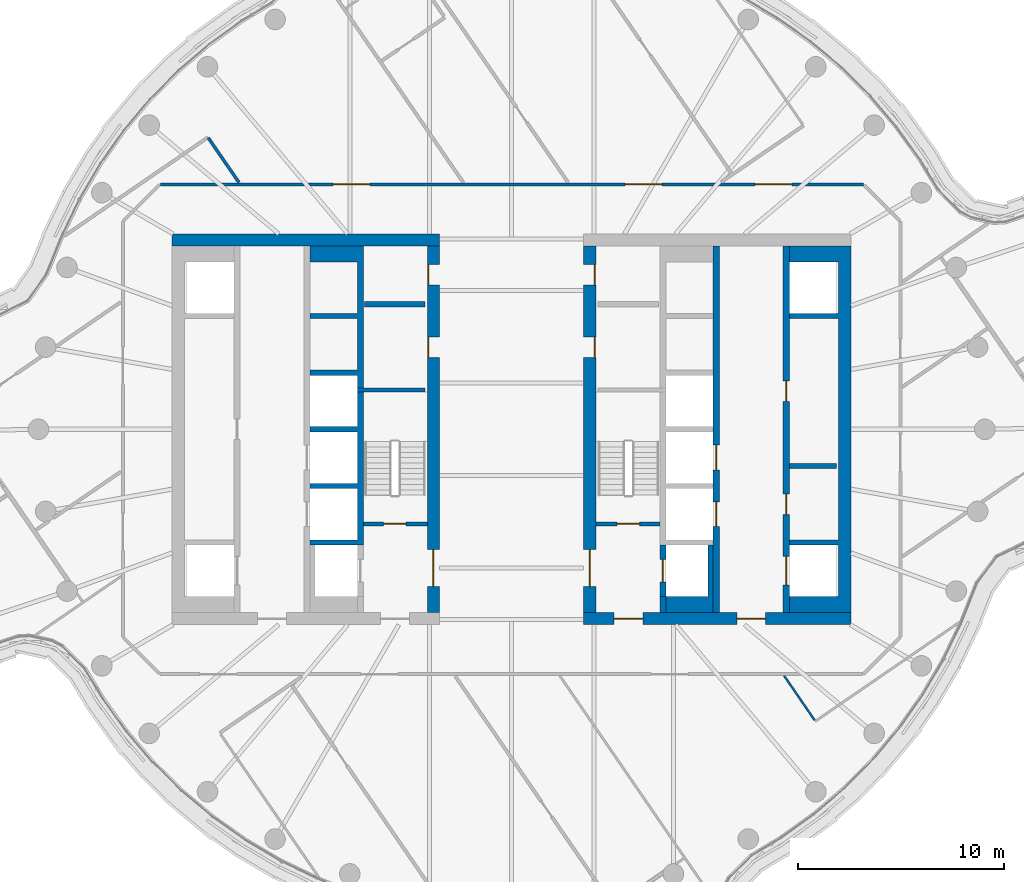
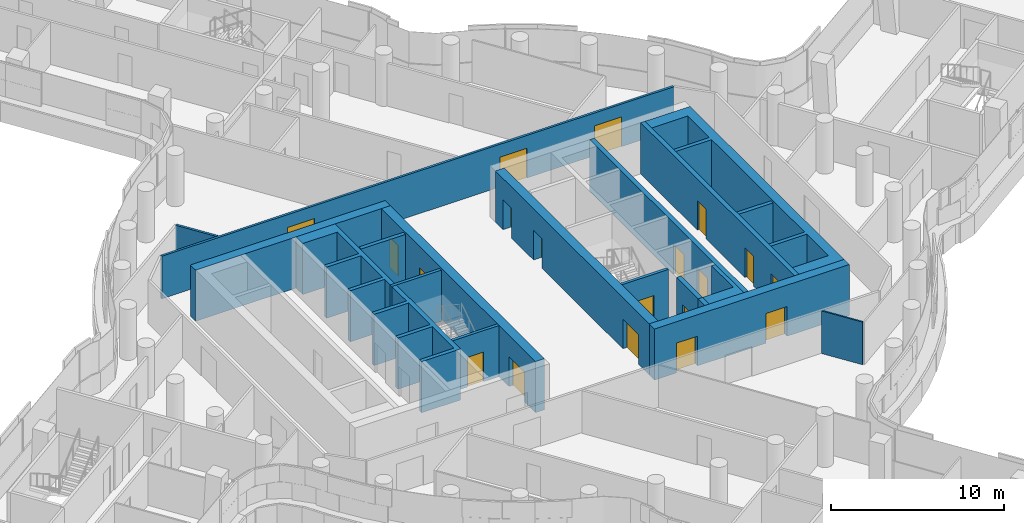
# One storey, part 23 of 33: 19 doors, 19 walls, 19 openings.
"""IFC4 building model written with IfcOpenShell, lengths in metres."""

from ifc_helpers import new_model, si_unit, direction, frame, frame_2d, origin, place, context, subcontext, project, spatial, polyline, rectangle, outline, extrude, material, layer, layer_set, type_object, element, fill, save


model = new_model("IFC4")

# Units and contexts
model_context = context("Model", 3, precision=1e-05, world=origin(), true_north=direction((0.0, 1.0)))
body_context = subcontext(model_context, "Body", "Model", "MODEL_VIEW")
ifc_project = project(units=[si_unit("LENGTHUNIT", "METRE"), si_unit("AREAUNIT", "SQUARE_METRE"), si_unit("VOLUMEUNIT", "CUBIC_METRE"), si_unit("PLANEANGLEUNIT", "RADIAN"), si_unit("MASSUNIT", "GRAM", prefix="KILO")], contexts=[model_context])

# Site, building, storey
site_placement = place(None, origin())
site = spatial("IfcSite", under=ifc_project, at=site_placement, CompositionType="ELEMENT")
building_placement = place(site_placement, origin())
building = spatial("IfcBuilding", under=site, at=building_placement, Name="Tamarind Cross Interchange Tower", CompositionType="ELEMENT")
storey_placement = place(building_placement, frame((0.0, 0.0, 159.25)))
storey = spatial("IfcBuildingStorey", under=building, at=storey_placement, Name="L39", CompositionType="ELEMENT", Elevation=159.25)

# Wall
ifc_material_1 = material(Name="Concrete C60", Category="concrete")
ifc_layer_1 = layer(ifc_material_1, 0.60009765625)
ifc_layer_set_1 = layer_set([ifc_layer_1], Name="Concrete C60")
wall_type_1 = type_object("IfcWallType", Name="Core wall 600 mm Concrete C60", PredefinedType="SHEAR", material=ifc_layer_set_1)
wall_1_placement = place(storey_placement, frame((-16.5, 9.199951171875, 0.0), z_axis=(0.0, 0.0, 1.0), x_axis=(1.0, 0.0, 0.0)))
element("IfcWall", 1, at=wall_1_placement, inside=storey, type_object=wall_type_1, Name="Core wall CWL-L39-W-NE", PredefinedType="SHEAR", context=body_context, shape_type="SweptSolid", body=[
    extrude(rectangle(XDim=13.0, YDim=0.60009765625, at=frame_2d((6.5, 0.0))), origin(), (0.0, 0.0, 1.0), 3.610107421875),
])

# Wall, openings, doors
wall_2_placement = place(storey_placement, frame((-3.800048828125, -8.89990234375, 0.0), z_axis=(0.0, 0.0, 1.0), x_axis=(0.0, 1.0, 0.0)))
wall_2 = element("IfcWall", 2, at=wall_2_placement, inside=storey, type_object=wall_type_1, Name="Core wall CWL-L39-W-IN", PredefinedType="SHEAR", context=body_context, shape_type="SweptSolid", body=[
    extrude(rectangle(XDim=17.7998046875, YDim=0.60009765625, at=frame_2d((8.89990234375, 0.0))), origin(), (0.0, 0.0, 1.0), 3.610107421875),
])
opening_1_placement = place(wall_2_placement, frame((1.25, 0.0, 0.0)))
opening_1 = element("IfcOpeningElement", 3, at=opening_1_placement, cuts=wall_2, Name="Opening DCW4", PredefinedType="OPENING", context=body_context, shape_type="SweptSolid", body=[
    extrude(rectangle(XDim=1.800048828125, YDim=2.10009765625, at=frame_2d((0.89990234375, 1.050048828125))), frame((0.0, 0.31005859375, 0.0), z_axis=(0.0, -1.0, 0.0), x_axis=(1.0, 0.0, 0.0)), (0.0, 0.0, 1.0), 0.6201171875),
])
opening_2_placement = place(wall_2_placement, frame((12.37744140625, 0.0, 0.0)))
opening_2 = element("IfcOpeningElement", 4, at=opening_2_placement, cuts=wall_2, Name="Opening DCW5", PredefinedType="OPENING", context=body_context, shape_type="SweptSolid", body=[
    extrude(rectangle(XDim=1.0, YDim=2.10009765625, at=frame_2d((0.5, 1.050048828125))), frame((0.0, 0.31005859375, 0.0), z_axis=(0.0, -1.0, 0.0), x_axis=(1.0, 0.0, 0.0)), (0.0, 0.0, 1.0), 0.6201171875),
])
opening_3_placement = place(wall_2_placement, frame((15.902587890625, 0.0, 0.0)))
opening_3 = element("IfcOpeningElement", 5, at=opening_3_placement, cuts=wall_2, Name="Opening DCW5", PredefinedType="OPENING", context=body_context, shape_type="SweptSolid", body=[
    extrude(rectangle(XDim=1.0, YDim=2.10009765625, at=frame_2d((0.5, 1.050048828125))), frame((0.0, 0.31005859375, 0.0), z_axis=(0.0, -1.0, 0.0), x_axis=(1.0, 0.0, 0.0)), (0.0, 0.0, 1.0), 0.6201171875),
])
ifc_material_2 = material(Name="Steel, fire-resisting", Category="steel")
door_type_1 = type_object("IfcDoorType", Name="Core fire door 1000 x 2100 FD90", OperationType="SINGLE_SWING_LEFT", PredefinedType="DOOR", material=ifc_material_2)
door_1_placement = place(opening_2_placement, origin())
door_1 = element("IfcDoor", 6, at=door_1_placement, inside=storey, type_object=door_type_1, Name="L39 cleaner's store door", OperationType="SINGLE_SWING_LEFT", OverallHeight=2.10009765625, OverallWidth=1.0, PredefinedType="DOOR", context=body_context, shape_type="SweptSolid", body=[
    extrude(rectangle(XDim=1.0, YDim=2.10009765625, at=frame_2d((0.5, 1.050048828125))), frame((0.0, 0.27490234375, 0.0), z_axis=(0.0, -1.0, 0.0), x_axis=(1.0, 0.0, 0.0)), (0.0, 0.0, 1.0), 0.050048828125),
])
fill(opening_2, door_1)
door_2_placement = place(opening_3_placement, origin())
door_2 = element("IfcDoor", 7, at=door_2_placement, inside=storey, type_object=door_type_1, Name="L39 comms room door", OperationType="SINGLE_SWING_LEFT", OverallHeight=2.10009765625, OverallWidth=1.0, PredefinedType="DOOR", context=body_context, shape_type="SweptSolid", body=[
    extrude(rectangle(XDim=1.0, YDim=2.10009765625, at=frame_2d((0.5, 1.050048828125))), frame((0.0, 0.27490234375, 0.0), z_axis=(0.0, -1.0, 0.0), x_axis=(1.0, 0.0, 0.0)), (0.0, 0.0, 1.0), 0.050048828125),
])
fill(opening_3, door_2)
door_type_2 = type_object("IfcDoorType", Name="Core fire door 1800 x 2100 FD90", OperationType="SINGLE_SWING_LEFT", PredefinedType="DOOR", material=ifc_material_2)
door_3_placement = place(opening_1_placement, origin())
door_3 = element("IfcDoor", 8, at=door_3_placement, inside=storey, type_object=door_type_2, Name="L39 firefighting lobby door", OperationType="SINGLE_SWING_LEFT", OverallHeight=2.10009765625, OverallWidth=1.800048828125, PredefinedType="DOOR", context=body_context, shape_type="SweptSolid", body=[
    extrude(rectangle(XDim=1.800048828125, YDim=2.10009765625, at=frame_2d((0.89990234375, 1.050048828125))), frame((0.0, 0.02490234375, 0.0), z_axis=(0.0, -1.0, 0.0), x_axis=(1.0, 0.0, 0.0)), (0.0, 0.0, 1.0), 0.050048828125),
])
fill(opening_1, door_3)

wall_3_placement = place(storey_placement, frame((16.5, -9.199951171875, 0.0), z_axis=(0.0, 0.0, 1.0), x_axis=(-1.0, 0.0, 0.0)))
wall_3 = element("IfcWall", 9, at=wall_3_placement, inside=storey, type_object=wall_type_1, Name="Core wall CWL-L39-E-S", PredefinedType="SHEAR", context=body_context, shape_type="SweptSolid", body=[
    extrude(rectangle(XDim=13.0, YDim=0.60009765625, at=frame_2d((6.5, 0.0))), origin(), (0.0, 0.0, 1.0), 3.610107421875),
])
opening_4_placement = place(wall_3_placement, frame((4.14990234375, 0.0, 0.0)))
opening_4 = element("IfcOpeningElement", 10, at=opening_4_placement, cuts=wall_3, Name="Opening DCE1", PredefinedType="OPENING", context=body_context, shape_type="SweptSolid", body=[
    extrude(rectangle(XDim=1.39990234375, YDim=2.10009765625, at=frame_2d((0.699951171875, 1.050048828125))), frame((0.0, 0.31005859375, 0.0), z_axis=(0.0, -1.0, 0.0), x_axis=(1.0, 0.0, 0.0)), (0.0, 0.0, 1.0), 0.6201171875),
])
opening_5_placement = place(wall_3_placement, frame((10.125, 0.0, 0.0)))
opening_5 = element("IfcOpeningElement", 11, at=opening_5_placement, cuts=wall_3, Name="Opening DCEF", PredefinedType="OPENING", context=body_context, shape_type="SweptSolid", body=[
    extrude(rectangle(XDim=1.39990234375, YDim=2.10009765625, at=frame_2d((0.699951171875, 1.050048828125))), frame((0.0, 0.31005859375, 0.0), z_axis=(0.0, -1.0, 0.0), x_axis=(1.0, 0.0, 0.0)), (0.0, 0.0, 1.0), 0.6201171875),
])
door_type_3 = type_object("IfcDoorType", Name="Core fire door 1400 x 2100 FD90", OperationType="SINGLE_SWING_LEFT", PredefinedType="DOOR", material=ifc_material_2)
door_4_placement = place(opening_4_placement, origin())
door_4 = element("IfcDoor", 12, at=door_4_placement, inside=storey, type_object=door_type_3, Name="L39 lift lobby door", OperationType="SINGLE_SWING_LEFT", OverallHeight=2.10009765625, OverallWidth=1.39990234375, PredefinedType="DOOR", context=body_context, shape_type="SweptSolid", body=[
    extrude(rectangle(XDim=1.39990234375, YDim=2.10009765625, at=frame_2d((0.699951171875, 1.050048828125))), frame((0.0, 0.02490234375, 0.0), z_axis=(0.0, -1.0, 0.0), x_axis=(1.0, 0.0, 0.0)), (0.0, 0.0, 1.0), 0.050048828125),
])
fill(opening_4, door_4)
door_5_placement = place(opening_5_placement, origin())
door_5 = element("IfcDoor", 13, at=door_5_placement, inside=storey, type_object=door_type_3, Name="L39 firefighting lobby end door", OperationType="SINGLE_SWING_LEFT", OverallHeight=2.10009765625, OverallWidth=1.39990234375, PredefinedType="DOOR", context=body_context, shape_type="SweptSolid", body=[
    extrude(rectangle(XDim=1.39990234375, YDim=2.10009765625, at=frame_2d((0.699951171875, 1.050048828125))), frame((0.0, 0.02490234375, 0.0), z_axis=(0.0, -1.0, 0.0), x_axis=(1.0, 0.0, 0.0)), (0.0, 0.0, 1.0), 0.050048828125),
])
fill(opening_5, door_5)

# Wall
wall_4_placement = place(storey_placement, origin())
element("IfcWall", 14, at=wall_4_placement, inside=storey, type_object=wall_type_1, Name="Core wall CWL-L39-E-A", PredefinedType="SHEAR", context=body_context, shape_type="SweptSolid", body=[
    extrude(outline(polyline([(13.5, -8.125), (13.5, -8.89990234375), (15.89990234375, -8.89990234375), (16.5, -8.89990234375), (16.5, 8.89990234375), (15.89990234375, 8.89990234375), (13.5, 8.89990234375), (13.5, 8.125), (15.89990234375, 8.125), (15.89990234375, 5.625), (13.5, 5.625), (13.5, 5.375), (15.89990234375, 5.375), (15.89990234375, -5.375), (13.5, -5.375), (13.5, -5.625), (15.89990234375, -5.625), (15.89990234375, -8.125), (13.5, -8.125)])), origin(), (0.0, 0.0, 1.0), 3.610107421875),
])

# Wall, openings, doors
wall_5_placement = place(storey_placement, frame((3.800048828125, -8.89990234375, 0.0), z_axis=(0.0, 0.0, 1.0), x_axis=(0.0, 1.0, 0.0)))
wall_5 = element("IfcWall", 15, at=wall_5_placement, inside=storey, type_object=wall_type_1, Name="Core wall CWL-L39-E-IN", PredefinedType="SHEAR", context=body_context, shape_type="SweptSolid", body=[
    extrude(rectangle(XDim=17.7998046875, YDim=0.60009765625, at=frame_2d((8.89990234375, 0.0))), origin(), (0.0, 0.0, 1.0), 3.610107421875),
])
opening_6_placement = place(wall_5_placement, frame((1.25, 0.0, 0.0)))
opening_6 = element("IfcOpeningElement", 16, at=opening_6_placement, cuts=wall_5, Name="Opening DCE4", PredefinedType="OPENING", context=body_context, shape_type="SweptSolid", body=[
    extrude(rectangle(XDim=1.800048828125, YDim=2.10009765625, at=frame_2d((0.89990234375, 1.050048828125))), frame((0.0, 0.31005859375, 0.0), z_axis=(0.0, -1.0, 0.0), x_axis=(1.0, 0.0, 0.0)), (0.0, 0.0, 1.0), 0.6201171875),
])
opening_7_placement = place(wall_5_placement, frame((12.37744140625, 0.0, 0.0)))
opening_7 = element("IfcOpeningElement", 17, at=opening_7_placement, cuts=wall_5, Name="Opening DCE5", PredefinedType="OPENING", context=body_context, shape_type="SweptSolid", body=[
    extrude(rectangle(XDim=1.0, YDim=2.10009765625, at=frame_2d((0.5, 1.050048828125))), frame((0.0, 0.31005859375, 0.0), z_axis=(0.0, -1.0, 0.0), x_axis=(1.0, 0.0, 0.0)), (0.0, 0.0, 1.0), 0.6201171875),
])
opening_8_placement = place(wall_5_placement, frame((15.902587890625, 0.0, 0.0)))
opening_8 = element("IfcOpeningElement", 18, at=opening_8_placement, cuts=wall_5, Name="Opening DCE5", PredefinedType="OPENING", context=body_context, shape_type="SweptSolid", body=[
    extrude(rectangle(XDim=1.0, YDim=2.10009765625, at=frame_2d((0.5, 1.050048828125))), frame((0.0, 0.31005859375, 0.0), z_axis=(0.0, -1.0, 0.0), x_axis=(1.0, 0.0, 0.0)), (0.0, 0.0, 1.0), 0.6201171875),
])
door_6_placement = place(opening_7_placement, origin())
door_6 = element("IfcDoor", 19, at=door_6_placement, inside=storey, type_object=door_type_1, Name="L39 cleaner's store door", OperationType="SINGLE_SWING_LEFT", OverallHeight=2.10009765625, OverallWidth=1.0, PredefinedType="DOOR", context=body_context, shape_type="SweptSolid", body=[
    extrude(rectangle(XDim=1.0, YDim=2.10009765625, at=frame_2d((0.5, 1.050048828125))), frame((0.0, -0.22509765625, 0.0), z_axis=(0.0, -1.0, 0.0), x_axis=(1.0, 0.0, 0.0)), (0.0, 0.0, 1.0), 0.050048828125),
])
fill(opening_7, door_6)
door_7_placement = place(opening_8_placement, origin())
door_7 = element("IfcDoor", 20, at=door_7_placement, inside=storey, type_object=door_type_1, Name="L39 comms room door", OperationType="SINGLE_SWING_LEFT", OverallHeight=2.10009765625, OverallWidth=1.0, PredefinedType="DOOR", context=body_context, shape_type="SweptSolid", body=[
    extrude(rectangle(XDim=1.0, YDim=2.10009765625, at=frame_2d((0.5, 1.050048828125))), frame((0.0, -0.22509765625, 0.0), z_axis=(0.0, -1.0, 0.0), x_axis=(1.0, 0.0, 0.0)), (0.0, 0.0, 1.0), 0.050048828125),
])
fill(opening_8, door_7)
door_8_placement = place(opening_6_placement, origin())
door_8 = element("IfcDoor", 21, at=door_8_placement, inside=storey, type_object=door_type_2, Name="L39 firefighting lobby door", OperationType="SINGLE_SWING_LEFT", OverallHeight=2.10009765625, OverallWidth=1.800048828125, PredefinedType="DOOR", context=body_context, shape_type="SweptSolid", body=[
    extrude(rectangle(XDim=1.800048828125, YDim=2.10009765625, at=frame_2d((0.89990234375, 1.050048828125))), frame((0.0, 0.02490234375, 0.0), z_axis=(0.0, -1.0, 0.0), x_axis=(1.0, 0.0, 0.0)), (0.0, 0.0, 1.0), 0.050048828125),
])
fill(opening_6, door_8)

# Walls
ifc_layer_2 = layer(ifc_material_1, 0.199951171875)
ifc_layer_set_2 = layer_set([ifc_layer_2], Name="Concrete C60")
wall_type_2 = type_object("IfcWallType", Name="Core web wall 200 mm Concrete C60", PredefinedType="SHEAR", material=ifc_layer_set_2)
wall_6_placement = place(storey_placement, frame((-7.5, 1.89990234375, 0.0), z_axis=(0.0, 0.0, 1.0), x_axis=(1.0, 0.0, 0.0)))
element("IfcWall", 22, at=wall_6_placement, inside=storey, type_object=wall_type_2, Name="Core wall CWL-L39-W-BD", PredefinedType="SHEAR", context=body_context, shape_type="SweptSolid", body=[
    extrude(rectangle(XDim=3.300048828125, YDim=0.199951171875, at=frame_2d((1.64990234375, 0.0))), origin(), (0.0, 0.0, 1.0), 3.610107421875),
])
ifc_layer_3 = layer(ifc_material_1, 0.300048828125)
ifc_layer_set_3 = layer_set([ifc_layer_3], Name="Concrete C60")
wall_type_3 = type_object("IfcWallType", Name="Core web wall 300 mm Concrete C60", PredefinedType="SHEAR", material=ifc_layer_set_3)
wall_7_placement = place(storey_placement, origin())
element("IfcWall", 23, at=wall_7_placement, inside=storey, type_object=wall_type_3, Name="Core wall CWL-L39-W-BN", PredefinedType="SHEAR", context=body_context, shape_type="SweptSolid", body=[
    extrude(outline(polyline([(-9.800048828125, -5.375), (-9.800048828125, -5.625), (-7.5, -5.625), (-7.199951171875, -5.625), (-7.199951171875, 8.89990234375), (-7.5, 8.89990234375), (-9.800048828125, 8.89990234375), (-9.800048828125, 8.125), (-7.5, 8.125), (-7.5, 5.625), (-9.800048828125, 5.625), (-9.800048828125, 5.375), (-7.5, 5.375), (-7.5, 2.875), (-9.800048828125, 2.875), (-9.800048828125, 2.625), (-7.5, 2.625), (-7.5, 0.125), (-9.800048828125, 0.125), (-9.800048828125, -0.125), (-7.5, -0.125), (-7.5, -2.625), (-9.800048828125, -2.625), (-9.800048828125, -2.875), (-7.5, -2.875), (-7.5, -5.375), (-9.800048828125, -5.375)])), origin(), (0.0, 0.0, 1.0), 3.610107421875),
])
wall_8_placement = place(storey_placement, origin())
element("IfcWall", 24, at=wall_8_placement, inside=storey, type_object=wall_type_3, Name="Core wall CWL-L39-E-BS", PredefinedType="SHEAR", context=body_context, shape_type="SweptSolid", body=[
    extrude(outline(polyline([(7.5, -8.125), (7.5, -8.89990234375), (9.800048828125, -8.89990234375), (9.800048828125, -8.125), (9.800048828125, -5.625), (9.550048828125, -5.625), (9.550048828125, -8.125), (7.5, -8.125)])), origin(), (0.0, 0.0, 1.0), 3.610107421875),
])
wall_9_placement = place(storey_placement, frame((7.35009765625, -8.89990234375, 0.0), z_axis=(0.0, 0.0, 1.0), x_axis=(0.0, 1.0, 0.0)))
element("IfcWall", 25, at=wall_9_placement, inside=storey, type_object=wall_type_3, Name="Core wall CWL-L39-E-BW", PredefinedType="SHEAR", context=body_context, shape_type="SweptSolid", body=[
    extrude(rectangle(XDim=0.77490234375, YDim=0.300048828125, at=frame_2d((0.387451171875, 0.0))), origin(), (0.0, 0.0, 1.0), 3.610107421875),
])

# Wall, openings, doors
wall_10_placement = place(storey_placement, frame((13.35009765625, -8.89990234375, 0.0), z_axis=(0.0, 0.0, 1.0), x_axis=(0.0, 1.0, 0.0)))
wall_10 = element("IfcWall", 26, at=wall_10_placement, inside=storey, type_object=wall_type_3, Name="Core wall CWL-L39-E-LA", PredefinedType="SHEAR", context=body_context, shape_type="SweptSolid", body=[
    extrude(rectangle(XDim=17.7998046875, YDim=0.300048828125, at=frame_2d((8.89990234375, 0.0))), origin(), (0.0, 0.0, 1.0), 3.610107421875),
])
opening_9_placement = place(wall_10_placement, frame((1.324951171875, 0.0, 0.0)))
opening_9 = element("IfcOpeningElement", 27, at=opening_9_placement, cuts=wall_10, Name="Opening LD13L39", PredefinedType="OPENING", context=body_context, shape_type="SweptSolid", body=[
    extrude(rectangle(XDim=1.39990234375, YDim=2.10009765625, at=frame_2d((0.699951171875, 1.050048828125))), frame((0.0, 0.159912109375, 0.0), z_axis=(0.0, -1.0, 0.0), x_axis=(1.0, 0.0, 0.0)), (0.0, 0.0, 1.0), 0.320068359375),
])
opening_10_placement = place(wall_10_placement, frame((4.75390625, 0.0, 0.0)))
opening_10 = element("IfcOpeningElement", 28, at=opening_10_placement, cuts=wall_10, Name="Opening DCE9", PredefinedType="OPENING", context=body_context, shape_type="SweptSolid", body=[
    extrude(rectangle(XDim=1.0, YDim=2.10009765625, at=frame_2d((0.5, 1.050048828125))), frame((0.0, 0.159912109375, 0.0), z_axis=(0.0, -1.0, 0.0), x_axis=(1.0, 0.0, 0.0)), (0.0, 0.0, 1.0), 0.320068359375),
])
opening_11_placement = place(wall_10_placement, frame((10.25390625, 0.0, 0.0)))
opening_11 = element("IfcOpeningElement", 29, at=opening_11_placement, cuts=wall_10, Name="Opening DCE10", PredefinedType="OPENING", context=body_context, shape_type="SweptSolid", body=[
    extrude(rectangle(XDim=1.0, YDim=2.10009765625, at=frame_2d((0.5, 1.050048828125))), frame((0.0, 0.159912109375, 0.0), z_axis=(0.0, -1.0, 0.0), x_axis=(1.0, 0.0, 0.0)), (0.0, 0.0, 1.0), 0.320068359375),
])
door_9_placement = place(opening_10_placement, origin())
door_9 = element("IfcDoor", 30, at=door_9_placement, inside=storey, type_object=door_type_1, Name="L39 Comms room door", OperationType="SINGLE_SWING_LEFT", OverallHeight=2.10009765625, OverallWidth=1.0, PredefinedType="DOOR", context=body_context, shape_type="SweptSolid", body=[
    extrude(rectangle(XDim=1.0, YDim=2.10009765625, at=frame_2d((0.5, 1.050048828125))), frame((0.0, 0.02490234375, 0.0), z_axis=(0.0, -1.0, 0.0), x_axis=(1.0, 0.0, 0.0)), (0.0, 0.0, 1.0), 0.050048828125),
])
fill(opening_10, door_9)
door_10_placement = place(opening_11_placement, origin())
door_10 = element("IfcDoor", 31, at=door_10_placement, inside=storey, type_object=door_type_1, Name="L39 Cleaner's store door", OperationType="SINGLE_SWING_LEFT", OverallHeight=2.10009765625, OverallWidth=1.0, PredefinedType="DOOR", context=body_context, shape_type="SweptSolid", body=[
    extrude(rectangle(XDim=1.0, YDim=2.10009765625, at=frame_2d((0.5, 1.050048828125))), frame((0.0, 0.02490234375, 0.0), z_axis=(0.0, -1.0, 0.0), x_axis=(1.0, 0.0, 0.0)), (0.0, 0.0, 1.0), 0.050048828125),
])
fill(opening_11, door_10)
ifc_material_3 = material(Name="Stainless steel panel", Category="steel")
door_type_4 = type_object("IfcDoorType", Name="Lift landing door 1400 x 2100 E 120", OperationType="SLIDING_TO_LEFT", PredefinedType="DOOR", material=ifc_material_3)
door_11_placement = place(opening_9_placement, origin())
door_11 = element("IfcDoor", 32, at=door_11_placement, inside=storey, type_object=door_type_4, Name="L39 landing door LF13", OperationType="SLIDING_TO_LEFT", OverallHeight=2.10009765625, OverallWidth=1.39990234375, PredefinedType="DOOR", context=body_context, shape_type="SweptSolid", body=[
    extrude(rectangle(XDim=1.39990234375, YDim=2.10009765625, at=frame_2d((0.699951171875, 1.050048828125))), frame((0.0, 0.02490234375, 0.0), z_axis=(0.0, -1.0, 0.0), x_axis=(1.0, 0.0, 0.0)), (0.0, 0.0, 1.0), 0.050048828125),
])
fill(opening_9, door_11)

wall_11_placement = place(storey_placement, frame((9.949951171875, -8.89990234375, 0.0), z_axis=(0.0, 0.0, 1.0), x_axis=(0.0, 1.0, 0.0)))
wall_11 = element("IfcWall", 33, at=wall_11_placement, inside=storey, type_object=wall_type_3, Name="Core wall CWL-L39-E-LB", PredefinedType="SHEAR", context=body_context, shape_type="SweptSolid", body=[
    extrude(rectangle(XDim=17.7998046875, YDim=0.300048828125, at=frame_2d((8.89990234375, 0.0))), origin(), (0.0, 0.0, 1.0), 3.610107421875),
])
opening_12_placement = place(wall_11_placement, frame((4.175048828125, 0.0, 0.0)))
opening_12 = element("IfcOpeningElement", 34, at=opening_12_placement, cuts=wall_11, Name="Opening LD20L39", PredefinedType="OPENING", context=body_context, shape_type="SweptSolid", body=[
    extrude(rectangle(XDim=1.199951171875, YDim=2.10009765625, at=frame_2d((0.60009765625, 1.050048828125))), frame((0.0, 0.159912109375, 0.0), z_axis=(0.0, -1.0, 0.0), x_axis=(1.0, 0.0, 0.0)), (0.0, 0.0, 1.0), 0.320068359375),
])
opening_13_placement = place(wall_11_placement, frame((6.925048828125, 0.0, 0.0)))
opening_13 = element("IfcOpeningElement", 35, at=opening_13_placement, cuts=wall_11, Name="Opening LD21L39", PredefinedType="OPENING", context=body_context, shape_type="SweptSolid", body=[
    extrude(rectangle(XDim=1.199951171875, YDim=2.10009765625, at=frame_2d((0.60009765625, 1.050048828125))), frame((0.0, 0.159912109375, 0.0), z_axis=(0.0, -1.0, 0.0), x_axis=(1.0, 0.0, 0.0)), (0.0, 0.0, 1.0), 0.320068359375),
])
door_type_5 = type_object("IfcDoorType", Name="Lift landing door 1200 x 2100 E 120", OperationType="SLIDING_TO_LEFT", PredefinedType="DOOR", material=ifc_material_3)
door_12_placement = place(opening_12_placement, origin())
door_12 = element("IfcDoor", 36, at=door_12_placement, inside=storey, type_object=door_type_5, Name="L39 landing door LF20", OperationType="SLIDING_TO_LEFT", OverallHeight=2.10009765625, OverallWidth=1.199951171875, PredefinedType="DOOR", context=body_context, shape_type="SweptSolid", body=[
    extrude(rectangle(XDim=1.199951171875, YDim=2.10009765625, at=frame_2d((0.60009765625, 1.050048828125))), frame((0.0, 0.02490234375, 0.0), z_axis=(0.0, -1.0, 0.0), x_axis=(1.0, 0.0, 0.0)), (0.0, 0.0, 1.0), 0.050048828125),
])
fill(opening_12, door_12)
door_13_placement = place(opening_13_placement, origin())
door_13 = element("IfcDoor", 37, at=door_13_placement, inside=storey, type_object=door_type_5, Name="L39 landing door LF21", OperationType="SLIDING_TO_LEFT", OverallHeight=2.10009765625, OverallWidth=1.199951171875, PredefinedType="DOOR", context=body_context, shape_type="SweptSolid", body=[
    extrude(rectangle(XDim=1.199951171875, YDim=2.10009765625, at=frame_2d((0.60009765625, 1.050048828125))), frame((0.0, 0.02490234375, 0.0), z_axis=(0.0, -1.0, 0.0), x_axis=(1.0, 0.0, 0.0)), (0.0, 0.0, 1.0), 0.050048828125),
])
fill(opening_13, door_13)

# Wall, opening, door
wall_12_placement = place(storey_placement, frame((7.35009765625, -8.125, 0.0), z_axis=(0.0, 0.0, 1.0), x_axis=(0.0, 1.0, 0.0)))
wall_12 = element("IfcWall", 38, at=wall_12_placement, inside=storey, type_object=wall_type_3, Name="Core wall CWL-L39-E-FF", PredefinedType="SHEAR", context=body_context, shape_type="SweptSolid", body=[
    extrude(rectangle(XDim=2.5, YDim=0.300048828125, at=frame_2d((1.25, 0.0))), origin(), (0.0, 0.0, 1.0), 3.610107421875),
])
opening_14_placement = place(wall_12_placement, frame((0.699951171875, 0.0, 0.0)))
opening_14 = element("IfcOpeningElement", 39, at=opening_14_placement, cuts=wall_12, Name="Opening LD19L39", PredefinedType="OPENING", context=body_context, shape_type="SweptSolid", body=[
    extrude(rectangle(XDim=1.10009765625, YDim=2.10009765625, at=frame_2d((0.550048828125, 1.050048828125))), frame((0.0, 0.159912109375, 0.0), z_axis=(0.0, -1.0, 0.0), x_axis=(1.0, 0.0, 0.0)), (0.0, 0.0, 1.0), 0.320068359375),
])
door_type_6 = type_object("IfcDoorType", Name="Lift landing door 1100 x 2100 E 120", OperationType="SLIDING_TO_LEFT", PredefinedType="DOOR", material=ifc_material_3)
door_14_placement = place(opening_14_placement, origin())
door_14 = element("IfcDoor", 40, at=door_14_placement, inside=storey, type_object=door_type_6, Name="L39 landing door LF19", OperationType="SLIDING_TO_LEFT", OverallHeight=2.10009765625, OverallWidth=1.10009765625, PredefinedType="DOOR", context=body_context, shape_type="SweptSolid", body=[
    extrude(rectangle(XDim=1.10009765625, YDim=2.10009765625, at=frame_2d((0.550048828125, 1.050048828125))), frame((0.0, 0.02490234375, 0.0), z_axis=(0.0, -1.0, 0.0), x_axis=(1.0, 0.0, 0.0)), (0.0, 0.0, 1.0), 0.050048828125),
])
fill(opening_14, door_14)

# Walls
ifc_material_4 = material(Name="Gypsum board partition on steel studs", Category="steel")
ifc_layer_4 = layer(ifc_material_4, 0.10009765625)
ifc_layer_set_4 = layer_set([ifc_layer_4], Name="Gypsum board partition on steel studs")
wall_type_4 = type_object("IfcWallType", Name="Partition 100 mm EI 90", PredefinedType="PARTITIONING", material=ifc_layer_set_4)
wall_13_placement = place(storey_placement, frame((13.24853515625, -11.986572265625, 0.0), z_axis=(0.0, 0.0, 1.0), x_axis=(0.566181157167, -0.824280836408, 0.0)))
element("IfcWall", 41, at=wall_13_placement, inside=storey, type_object=wall_type_4, Name="Partition L39-031", PredefinedType="PARTITIONING", context=body_context, shape_type="SweptSolid", body=[
    extrude(rectangle(XDim=2.623046875, YDim=0.10009765625, at=frame_2d((1.3115234375, 0.0))), origin(), (0.0, 0.0, 1.0), 3.010009765625),
])
ifc_layer_5 = layer(ifc_material_4, 0.14990234375)
ifc_layer_set_5 = layer_set([ifc_layer_5], Name="Gypsum board partition on steel studs")
wall_type_5 = type_object("IfcWallType", Name="Partition 150 mm EI 120", PredefinedType="PARTITIONING", material=ifc_layer_set_5)
wall_14_placement = place(storey_placement, frame((-14.750732421875, 14.173583984375, 0.0), z_axis=(0.0, 0.0, 1.0), x_axis=(0.566198904707, -0.824268645715, 0.0)))
element("IfcWall", 42, at=wall_14_placement, inside=storey, type_object=wall_type_5, Name="Partition L39-011", PredefinedType="PARTITIONING", context=body_context, shape_type="SweptSolid", body=[
    extrude(rectangle(XDim=2.638427734375, YDim=0.14990234375, at=frame_2d((1.3193359375, 0.0))), origin(), (0.0, 0.0, 1.0), 3.010009765625),
])

# Wall, openings, doors
wall_15_placement = place(storey_placement, frame((-17.06494140625, 11.89990234375, 0.0), z_axis=(0.0, 0.0, 1.0), x_axis=(1.0, 0.0, 0.0)))
wall_15 = element("IfcWall", 43, at=wall_15_placement, inside=storey, type_object=wall_type_5, Name="Partition L39-040", PredefinedType="PARTITIONING", context=body_context, shape_type="SweptSolid", body=[
    extrude(rectangle(XDim=34.1650390625, YDim=0.14990234375, at=frame_2d((17.08251953125, 0.0))), origin(), (0.0, 0.0, 1.0), 3.010009765625),
])
opening_15_placement = place(wall_15_placement, frame((22.575927734375, 0.0, 0.0)))
opening_15 = element("IfcOpeningElement", 44, at=opening_15_placement, cuts=wall_15, Name="Opening D22", PredefinedType="OPENING", context=body_context, shape_type="SweptSolid", body=[
    extrude(rectangle(XDim=1.800048828125, YDim=2.10009765625, at=frame_2d((0.89990234375, 1.050048828125))), frame((0.0, 0.0849609375, 0.0), z_axis=(0.0, -1.0, 0.0), x_axis=(1.0, 0.0, 0.0)), (0.0, 0.0, 1.0), 0.169921875),
])
opening_16_placement = place(wall_15_placement, frame((28.887939453125, 0.0, 0.0)))
opening_16 = element("IfcOpeningElement", 45, at=opening_16_placement, cuts=wall_15, Name="Opening D23", PredefinedType="OPENING", context=body_context, shape_type="SweptSolid", body=[
    extrude(rectangle(XDim=1.800048828125, YDim=2.10009765625, at=frame_2d((0.89990234375, 1.050048828125))), frame((0.0, 0.0849609375, 0.0), z_axis=(0.0, -1.0, 0.0), x_axis=(1.0, 0.0, 0.0)), (0.0, 0.0, 1.0), 0.169921875),
])
opening_17_placement = place(wall_15_placement, frame((8.3759765625, 0.0, 0.0)))
opening_17 = element("IfcOpeningElement", 46, at=opening_17_placement, cuts=wall_15, Name="Opening D24", PredefinedType="OPENING", context=body_context, shape_type="SweptSolid", body=[
    extrude(rectangle(XDim=1.800048828125, YDim=2.10009765625, at=frame_2d((0.89990234375, 1.050048828125))), frame((0.0, 0.0849609375, 0.0), z_axis=(0.0, -1.0, 0.0), x_axis=(1.0, 0.0, 0.0)), (0.0, 0.0, 1.0), 0.169921875),
])
ifc_material_5 = material(Name="Fire-resisting door set")
door_type_7 = type_object("IfcDoorType", Name="Interior door 1800 x 2100 FD60S", OperationType="DOUBLE_DOOR_SINGLE_SWING", PredefinedType="DOOR", material=ifc_material_5)
door_15_placement = place(opening_15_placement, frame((1.800048828125, 0.0, 0.0), z_axis=(0.0, 0.0, 1.0), x_axis=(-1.0, 0.0, 0.0)))
door_15 = element("IfcDoor", 47, at=door_15_placement, inside=storey, type_object=door_type_7, Name="Door D22", OperationType="DOUBLE_DOOR_SINGLE_SWING", OverallHeight=2.10009765625, OverallWidth=1.800048828125, PredefinedType="DOOR", context=body_context, shape_type="SweptSolid", body=[
    extrude(rectangle(XDim=1.800048828125, YDim=2.10009765625, at=frame_2d((0.89990234375, 1.050048828125))), frame((0.0, 0.02490234375, 0.0), z_axis=(0.0, -1.0, 0.0), x_axis=(1.0, 0.0, 0.0)), (0.0, 0.0, 1.0), 0.050048828125),
])
fill(opening_15, door_15)
door_16_placement = place(opening_16_placement, origin())
door_16 = element("IfcDoor", 48, at=door_16_placement, inside=storey, type_object=door_type_7, Name="Door D23", OperationType="DOUBLE_DOOR_SINGLE_SWING", OverallHeight=2.10009765625, OverallWidth=1.800048828125, PredefinedType="DOOR", context=body_context, shape_type="SweptSolid", body=[
    extrude(rectangle(XDim=1.800048828125, YDim=2.10009765625, at=frame_2d((0.89990234375, 1.050048828125))), frame((0.0, 0.02490234375, 0.0), z_axis=(0.0, -1.0, 0.0), x_axis=(1.0, 0.0, 0.0)), (0.0, 0.0, 1.0), 0.050048828125),
])
fill(opening_16, door_16)
door_17_placement = place(opening_17_placement, origin())
door_17 = element("IfcDoor", 49, at=door_17_placement, inside=storey, type_object=door_type_7, Name="Door D24", OperationType="DOUBLE_DOOR_SINGLE_SWING", OverallHeight=2.10009765625, OverallWidth=1.800048828125, PredefinedType="DOOR", context=body_context, shape_type="SweptSolid", body=[
    extrude(rectangle(XDim=1.800048828125, YDim=2.10009765625, at=frame_2d((0.89990234375, 1.050048828125))), frame((0.0, 0.02490234375, 0.0), z_axis=(0.0, -1.0, 0.0), x_axis=(1.0, 0.0, 0.0)), (0.0, 0.0, 1.0), 0.050048828125),
])
fill(opening_17, door_17)

# Walls
ifc_material_6 = material(Name="Concrete C40", Category="concrete")
ifc_layer_6 = layer(ifc_material_6, 0.25)
ifc_layer_set_6 = layer_set([ifc_layer_6], Name="Concrete C40")
wall_type_6 = type_object("IfcWallType", Name="Shaft and lobby wall 250 mm Concrete C40", PredefinedType="PARTITIONING", material=ifc_layer_set_6)
wall_16_placement = place(storey_placement, frame((-7.14990234375, 6.080078125, 0.0), z_axis=(0.0, 0.0, 1.0), x_axis=(1.0, 0.0, 0.0)))
element("IfcWall", 50, at=wall_16_placement, inside=storey, type_object=wall_type_6, Name="Shaft wall CWL-L39-W-SVP", PredefinedType="PARTITIONING", context=body_context, shape_type="SweptSolid", body=[
    extrude(rectangle(XDim=2.949951171875, YDim=0.25, at=frame_2d((1.47509765625, 0.0))), origin(), (0.0, 0.0, 1.0), 3.610107421875),
])
wall_17_placement = place(storey_placement, frame((15.800048828125, -1.7919921875, 0.0), z_axis=(0.0, 0.0, 1.0), x_axis=(-1.0, 0.0, 0.0)))
element("IfcWall", 51, at=wall_17_placement, inside=storey, type_object=wall_type_6, Name="Shaft wall CWL-L39-E-FPA1", PredefinedType="PARTITIONING", context=body_context, shape_type="SweptSolid", body=[
    extrude(rectangle(XDim=2.300048828125, YDim=0.25, at=frame_2d((1.14990234375, 0.0))), origin(), (0.0, 0.0, 1.0), 3.610107421875),
])

# Wall, opening, door
ifc_layer_7 = layer(ifc_material_6, 0.199951171875)
ifc_layer_set_7 = layer_set([ifc_layer_7], Name="Concrete C40")
wall_type_7 = type_object("IfcWallType", Name="Stair shaft wall 200 mm Concrete C40", PredefinedType="SHEAR", material=ifc_layer_set_7)
wall_18_placement = place(storey_placement, frame((-7.199951171875, -4.60009765625, 0.0), z_axis=(0.0, 0.0, 1.0), x_axis=(1.0, 0.0, 0.0)))
wall_18 = element("IfcWall", 52, at=wall_18_placement, inside=storey, type_object=wall_type_7, Name="Core wall CWL-L39-W-SD", PredefinedType="SHEAR", context=body_context, shape_type="SweptSolid", body=[
    extrude(rectangle(XDim=3.099853515625, YDim=0.199951171875, at=frame_2d((1.5498046875, 0.0))), origin(), (0.0, 0.0, 1.0), 3.610107421875),
])
opening_18_placement = place(wall_18_placement, frame((0.97509765625, 0.0, 0.0)))
opening_18 = element("IfcOpeningElement", 53, at=opening_18_placement, cuts=wall_18, Name="Opening DCW6", PredefinedType="OPENING", context=body_context, shape_type="SweptSolid", body=[
    extrude(rectangle(XDim=1.10009765625, YDim=2.10009765625, at=frame_2d((0.550048828125, 1.050048828125))), frame((0.0, 0.10986328125, 0.0), z_axis=(0.0, -1.0, 0.0), x_axis=(1.0, 0.0, 0.0)), (0.0, 0.0, 1.0), 0.219970703125),
])
door_type_8 = type_object("IfcDoorType", Name="Core fire door 1100 x 2100 FD90", OperationType="SINGLE_SWING_LEFT", PredefinedType="DOOR", material=ifc_material_2)
door_18_placement = place(opening_18_placement, origin())
door_18 = element("IfcDoor", 54, at=door_18_placement, inside=storey, type_object=door_type_8, Name="L39 stair door", OperationType="SINGLE_SWING_LEFT", OverallHeight=2.10009765625, OverallWidth=1.10009765625, PredefinedType="DOOR", context=body_context, shape_type="SweptSolid", body=[
    extrude(rectangle(XDim=1.10009765625, YDim=2.10009765625, at=frame_2d((0.550048828125, 1.050048828125))), frame((0.0, 0.02490234375, 0.0), z_axis=(0.0, -1.0, 0.0), x_axis=(1.0, 0.0, 0.0)), (0.0, 0.0, 1.0), 0.050048828125),
])
fill(opening_18, door_18)

wall_19_placement = place(storey_placement, frame((7.199951171875, -4.60009765625, 0.0), z_axis=(0.0, 0.0, 1.0), x_axis=(-1.0, 0.0, 0.0)))
wall_19 = element("IfcWall", 55, at=wall_19_placement, inside=storey, type_object=wall_type_7, Name="Core wall CWL-L39-E-SD", PredefinedType="SHEAR", context=body_context, shape_type="SweptSolid", body=[
    extrude(rectangle(XDim=3.099853515625, YDim=0.199951171875, at=frame_2d((1.5498046875, 0.0))), origin(), (0.0, 0.0, 1.0), 3.610107421875),
])
opening_19_placement = place(wall_19_placement, frame((0.97509765625, 0.0, 0.0)))
opening_19 = element("IfcOpeningElement", 56, at=opening_19_placement, cuts=wall_19, Name="Opening DCE6", PredefinedType="OPENING", context=body_context, shape_type="SweptSolid", body=[
    extrude(rectangle(XDim=1.10009765625, YDim=2.10009765625, at=frame_2d((0.550048828125, 1.050048828125))), frame((0.0, 0.10986328125, 0.0), z_axis=(0.0, -1.0, 0.0), x_axis=(1.0, 0.0, 0.0)), (0.0, 0.0, 1.0), 0.219970703125),
])
door_19_placement = place(opening_19_placement, origin())
door_19 = element("IfcDoor", 57, at=door_19_placement, inside=storey, type_object=door_type_8, Name="L39 stair door", OperationType="SINGLE_SWING_LEFT", OverallHeight=2.10009765625, OverallWidth=1.10009765625, PredefinedType="DOOR", context=body_context, shape_type="SweptSolid", body=[
    extrude(rectangle(XDim=1.10009765625, YDim=2.10009765625, at=frame_2d((0.550048828125, 1.050048828125))), frame((0.0, 0.02490234375, 0.0), z_axis=(0.0, -1.0, 0.0), x_axis=(1.0, 0.0, 0.0)), (0.0, 0.0, 1.0), 0.050048828125),
])
fill(opening_19, door_19)

save(model, "model.ifc")
